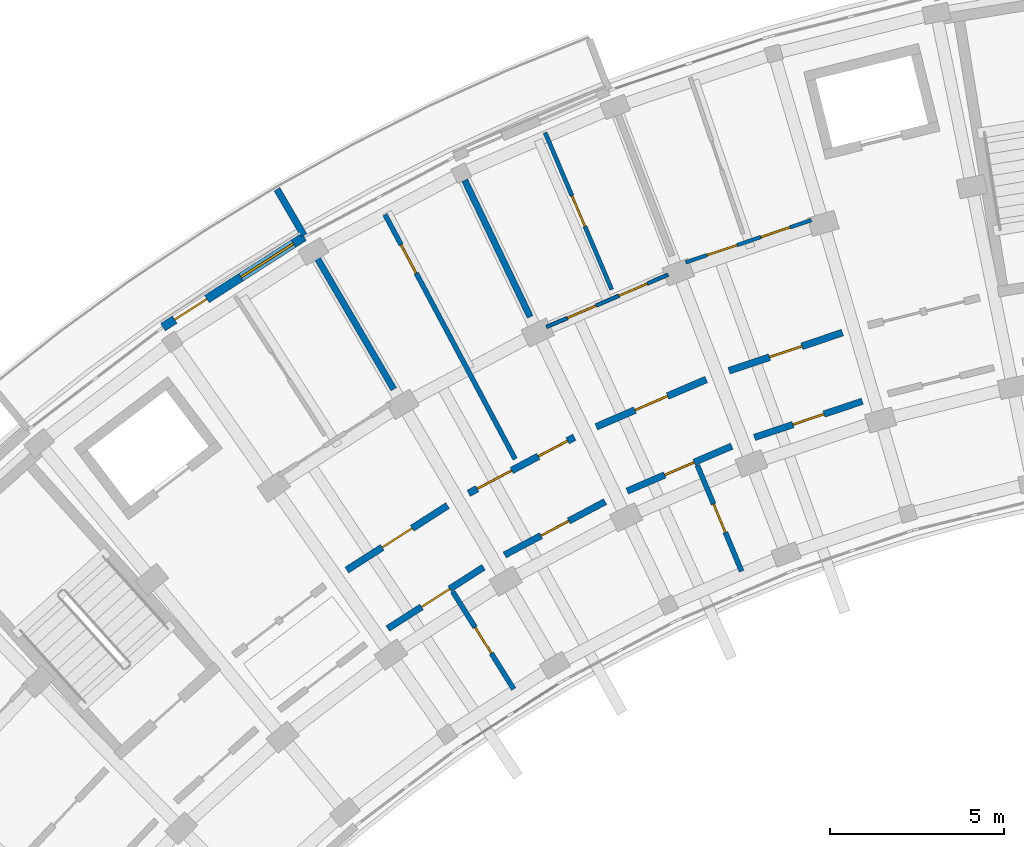
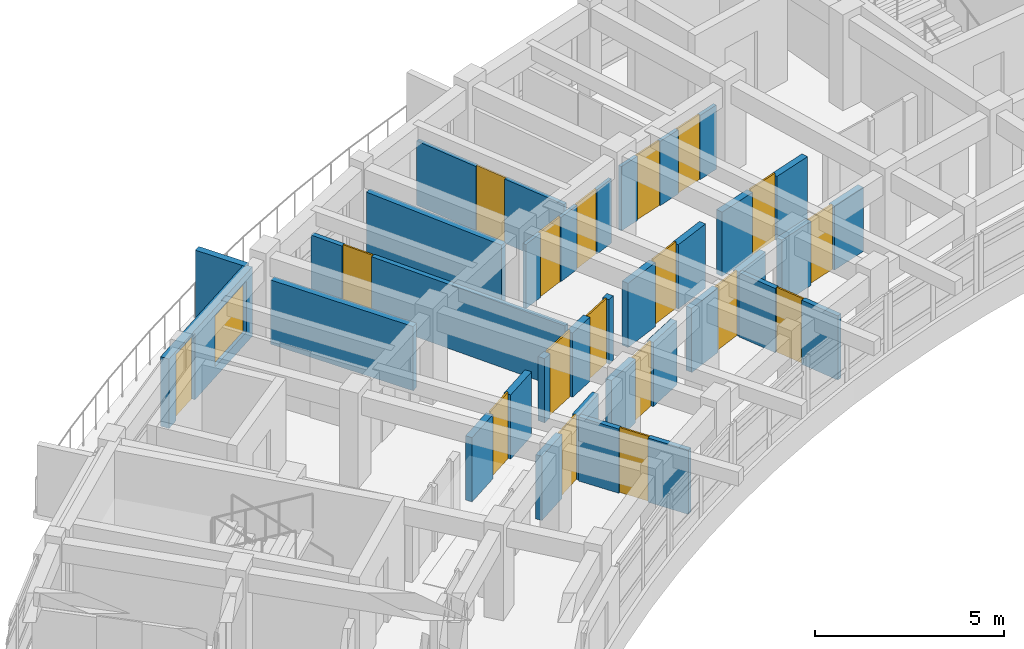
# One storey, part 29 of 55: 18 doors, 18 walls, 1 window, 19 openings.
"""IFC4 building model written with IfcOpenShell, lengths in metres."""

from ifc_helpers import new_model, si_unit, direction, frame, frame_2d, origin, place, context, subcontext, project, spatial, rectangle, extrude, material, layer, layer_set, type_object, element, fill, save


model = new_model("IFC4")

# Units and contexts
model_context = context("Model", 3, precision=1e-05, world=origin(), true_north=direction((0.0, 1.0)))
body_context = subcontext(model_context, "Body", "Model", "MODEL_VIEW")
ifc_project = project(units=[si_unit("LENGTHUNIT", "METRE"), si_unit("AREAUNIT", "SQUARE_METRE"), si_unit("VOLUMEUNIT", "CUBIC_METRE"), si_unit("PLANEANGLEUNIT", "RADIAN"), si_unit("MASSUNIT", "GRAM", prefix="KILO")], contexts=[model_context])

# Site, building, storey
site_placement = place(None, origin())
site = spatial("IfcSite", under=ifc_project, at=site_placement, CompositionType="ELEMENT")
building_placement = place(site_placement, origin())
building = spatial("IfcBuilding", under=site, at=building_placement, Name="Zimvara Arc Housing Community", CompositionType="ELEMENT")
storey_placement = place(building_placement, frame((0.0, 0.0, 14.300048828125)))
storey = spatial("IfcBuildingStorey", under=building, at=storey_placement, Name="L04", CompositionType="ELEMENT", Elevation=14.300048828125)

# Wall
ifc_material_1 = material(Name="Board-Marked Fair-Faced Concrete C35/45", Category="concrete")
ifc_layer_1 = layer(ifc_material_1, 0.195068359375)
ifc_layer_set_1 = layer_set([ifc_layer_1], Name="Board-Marked Fair-Faced Concrete C35/45")
wall_type_1 = type_object("IfcWallType", Name="EWL-PARA-195", PredefinedType="PARAPET", material=ifc_layer_set_1)
wall_1_placement = place(storey_placement, frame((15.038818359375, 95.8134765625, 0.0), z_axis=(0.0, 0.0, 1.0), x_axis=(-0.504228145431, 0.863570481985, 0.0)))
element("IfcWall", 1, at=wall_1_placement, inside=storey, type_object=wall_type_1, Name="finwall:blkA:L04:out:b4", PredefinedType="PARAPET", context=body_context, shape_type="SweptSolid", body=[
    extrude(rectangle(XDim=1.530029296875, YDim=0.195068359375, at=frame_2d((0.76513671875, 0.0))), origin(), (0.0, 0.0, 1.0), 2.25),
])

# Wall, openings, door, window
ifc_material_2 = material(Name="Board-Marked Fair-Faced Concrete C35/45", Category="concrete")
ifc_layer_2 = layer(ifc_material_2, 0.251953125)
ifc_layer_set_2 = layer_set([ifc_layer_2], Name="Board-Marked Fair-Faced Concrete C35/45")
wall_type_2 = type_object("IfcWallType", Name="EWL-VAR-18", PredefinedType="SOLIDWALL", material=ifc_layer_set_2)
wall_2_placement = place(storey_placement, frame((10.991943359375, 93.17578125, 0.0), z_axis=(0.0, 0.0, 1.0), x_axis=(0.84226218024, 0.539068103061, 0.0)))
wall_2 = element("IfcWall", 2, at=wall_2_placement, inside=storey, type_object=wall_type_2, Name="ewall:blkA:L04:out:b3", PredefinedType="SOLIDWALL", context=body_context, shape_type="SweptSolid", body=[
    extrude(rectangle(XDim=4.808837890625, YDim=0.251953125, at=frame_2d((2.404296875, 0.0))), origin(), (0.0, 0.0, 1.0), 2.25),
])
opening_1_placement = place(wall_2_placement, frame((0.39990234375, 0.0, 0.0)))
opening_1 = element("IfcOpeningElement", 3, at=opening_1_placement, cuts=wall_2, Name="Opening ED06", PredefinedType="OPENING", context=body_context, shape_type="SweptSolid", body=[
    extrude(rectangle(XDim=1.10009765625, YDim=2.14990234375, at=frame_2d((0.550048828125, 1.074951171875))), frame((0.0, 0.135986328125, 0.0), z_axis=(0.0, -1.0, 0.0), x_axis=(1.0, 0.0, 0.0)), (0.0, 0.0, 1.0), 0.27197265625),
])
opening_2_placement = place(wall_2_placement, frame((2.658935546875, 0.0, 0.35009765625)))
opening_2 = element("IfcOpeningElement", 4, at=opening_2_placement, cuts=wall_2, Name="Opening W08", PredefinedType="OPENING", context=body_context, shape_type="SweptSolid", body=[
    extrude(rectangle(XDim=1.800048828125, YDim=1.64990234375, at=frame_2d((0.89990234375, 0.824951171875))), frame((0.0, 0.135986328125, 0.0), z_axis=(0.0, -1.0, 0.0), x_axis=(1.0, 0.0, 0.0)), (0.0, 0.0, 1.0), 0.27197265625),
])
ifc_material_3 = material(Name="Anodised Aluminium AW-6063", Category="aluminium")
door_type_1 = type_object("IfcDoorType", Name="EDR-TERR-1100x2150", OperationType="NOTDEFINED", PredefinedType="DOOR", material=ifc_material_3)
door_1_placement = place(opening_1_placement, origin())
door_1 = element("IfcDoor", 5, at=door_1_placement, inside=storey, type_object=door_type_1, Name="edoor:blkA:L04:bal_out:b3", OperationType="SINGLE_SWING_LEFT", OverallHeight=2.14990234375, OverallWidth=1.10009765625, PredefinedType="DOOR", context=body_context, shape_type="SweptSolid", body=[
    extrude(rectangle(XDim=1.10009765625, YDim=2.14990234375, at=frame_2d((0.550048828125, 1.074951171875))), frame((0.0, 0.02490234375, 0.0), z_axis=(0.0, -1.0, 0.0), x_axis=(1.0, 0.0, 0.0)), (0.0, 0.0, 1.0), 0.050048828125),
])
fill(opening_1, door_1)
ifc_material_4 = material(Name="Solar Control Low-E Double Glazing", Category="glass")
window_type = type_object("IfcWindowType", Name="WIN-RES-1800x1650", PartitioningType="TRIPLE_PANEL_VERTICAL", PredefinedType="WINDOW", material=ifc_material_4)
window_placement = place(opening_2_placement, origin())
window = element("IfcWindow", 6, at=window_placement, inside=storey, type_object=window_type, Name="win:blkA:L04:out:b3:balw", OverallHeight=1.64990234375, OverallWidth=1.800048828125, PartitioningType="TRIPLE_PANEL_VERTICAL", PredefinedType="WINDOW", context=body_context, shape_type="SweptSolid", body=[
    extrude(rectangle(XDim=1.800048828125, YDim=1.64990234375, at=frame_2d((0.89990234375, 0.824951171875))), frame((0.0, 0.030029296875, 0.0), z_axis=(0.0, -1.0, 0.0), x_axis=(1.0, 0.0, 0.0)), (0.0, 0.0, 1.0), 0.06005859375),
])
fill(opening_2, window)

# Wall, opening, door
ifc_material_5 = material(Name="Concrete C35/45", Category="concrete")
ifc_layer_3 = layer(ifc_material_5, 0.18994140625)
ifc_layer_set_3 = layer_set([ifc_layer_3], Name="Concrete C35/45")
wall_type_3 = type_object("IfcWallType", Name="IWL-CORR-190", PredefinedType="SOLIDWALL", material=ifc_layer_set_3)
wall_3_placement = place(storey_placement, frame((17.44677734375, 84.518798828125, 0.0), z_axis=(0.0, 0.0, 1.0), x_axis=(0.842225276846, 0.539125758095, 0.0)))
wall_3 = element("IfcWall", 7, at=wall_3_placement, inside=storey, type_object=wall_type_3, Name="iwall:blkA:L04:corr_in:b3", PredefinedType="SOLIDWALL", context=body_context, shape_type="SweptSolid", body=[
    extrude(rectangle(XDim=3.2685546875, YDim=0.18994140625, at=frame_2d((1.63427734375, 0.0))), origin(), (0.0, 0.0, 1.0), 2.079833984375),
])
opening_3_placement = place(wall_3_placement, frame((1.154296875, 0.0, 0.0)))
opening_3 = element("IfcOpeningElement", 8, at=opening_3_placement, cuts=wall_3, Name="Opening D04", PredefinedType="OPENING", context=body_context, shape_type="SweptSolid", body=[
    extrude(rectangle(XDim=0.9599609375, YDim=2.10009765625, at=frame_2d((0.47998046875, 1.050048828125))), frame((0.0, 0.10498046875, 0.0), z_axis=(0.0, -1.0, 0.0), x_axis=(1.0, 0.0, 0.0)), (0.0, 0.0, 1.0), 0.2099609375),
])
ifc_material_6 = material(Name="Mozambican Hardwood", Category="wood")
door_type_2 = type_object("IfcDoorType", Name="IDR-RM-0960x2100", OperationType="NOTDEFINED", PredefinedType="DOOR", material=ifc_material_6)
door_2_placement = place(opening_3_placement, origin())
door_2 = element("IfcDoor", 9, at=door_2_placement, inside=storey, type_object=door_type_2, Name="idoor:blkA:L04:in_rm:b3", OperationType="SINGLE_SWING_RIGHT", OverallHeight=2.10009765625, OverallWidth=0.9599609375, PredefinedType="DOOR", context=body_context, shape_type="SweptSolid", body=[
    extrude(rectangle(XDim=0.9599609375, YDim=2.10009765625, at=frame_2d((0.47998046875, 1.050048828125))), frame((0.0, 0.02490234375, 0.0), z_axis=(0.0, -1.0, 0.0), x_axis=(1.0, 0.0, 0.0)), (0.0, 0.0, 1.0), 0.050048828125),
])
fill(opening_3, door_2)

wall_4_placement = place(storey_placement, frame((20.8037109375, 86.633544921875, 0.0), z_axis=(0.0, 0.0, 1.0), x_axis=(0.883444301944, 0.468536194293, 0.0)))
wall_4 = element("IfcWall", 10, at=wall_4_placement, inside=storey, type_object=wall_type_3, Name="iwall:blkA:L04:corr_in:b4", PredefinedType="SOLIDWALL", context=body_context, shape_type="SweptSolid", body=[
    extrude(rectangle(XDim=3.268798828125, YDim=0.18994140625, at=frame_2d((1.63427734375, 0.0))), origin(), (0.0, 0.0, 1.0), 2.079833984375),
])
opening_4_placement = place(wall_4_placement, frame((1.184326171875, 0.0, 0.0)))
opening_4 = element("IfcOpeningElement", 11, at=opening_4_placement, cuts=wall_4, Name="Opening D01", PredefinedType="OPENING", context=body_context, shape_type="SweptSolid", body=[
    extrude(rectangle(XDim=0.89990234375, YDim=2.10009765625, at=frame_2d((0.449951171875, 1.050048828125))), frame((0.0, 0.10498046875, 0.0), z_axis=(0.0, -1.0, 0.0), x_axis=(1.0, 0.0, 0.0)), (0.0, 0.0, 1.0), 0.2099609375),
])
ifc_material_7 = material(Name="Mozambican Hardwood", Category="wood")
door_type_3 = type_object("IfcDoorType", Name="IDR-RM-0900x2100", OperationType="NOTDEFINED", PredefinedType="DOOR", material=ifc_material_7)
door_3_placement = place(opening_4_placement, origin())
door_3 = element("IfcDoor", 12, at=door_3_placement, inside=storey, type_object=door_type_3, Name="idoor:blkA:L04:in_rm:b4", OperationType="SINGLE_SWING_LEFT", OverallHeight=2.10009765625, OverallWidth=0.89990234375, PredefinedType="DOOR", context=body_context, shape_type="SweptSolid", body=[
    extrude(rectangle(XDim=0.89990234375, YDim=2.10009765625, at=frame_2d((0.449951171875, 1.050048828125))), frame((0.0, 0.02490234375, 0.0), z_axis=(0.0, -1.0, 0.0), x_axis=(1.0, 0.0, 0.0)), (0.0, 0.0, 1.0), 0.050048828125),
])
fill(opening_4, door_3)

wall_5_placement = place(storey_placement, frame((24.322265625, 88.46728515625, 0.0), z_axis=(0.0, 0.0, 1.0), x_axis=(0.918723391052, 0.394901672235, 0.0)))
wall_5 = element("IfcWall", 13, at=wall_5_placement, inside=storey, type_object=wall_type_3, Name="iwall:blkA:L04:corr_in:b5", PredefinedType="SOLIDWALL", context=body_context, shape_type="SweptSolid", body=[
    extrude(rectangle(XDim=3.2685546875, YDim=0.18994140625, at=frame_2d((1.63427734375, 0.0))), origin(), (0.0, 0.0, 1.0), 2.079833984375),
])
opening_5_placement = place(wall_5_placement, frame((1.17431640625, 0.0, 0.0)))
opening_5 = element("IfcOpeningElement", 14, at=opening_5_placement, cuts=wall_5, Name="Opening D02", PredefinedType="OPENING", context=body_context, shape_type="SweptSolid", body=[
    extrude(rectangle(XDim=0.919921875, YDim=2.10009765625, at=frame_2d((0.4599609375, 1.050048828125))), frame((0.0, 0.10498046875, 0.0), z_axis=(0.0, -1.0, 0.0), x_axis=(1.0, 0.0, 0.0)), (0.0, 0.0, 1.0), 0.2099609375),
])
ifc_material_8 = material(Name="Mozambican Hardwood", Category="wood")
door_type_4 = type_object("IfcDoorType", Name="IDR-RM-0920x2100", OperationType="NOTDEFINED", PredefinedType="DOOR", material=ifc_material_8)
door_4_placement = place(opening_5_placement, origin())
door_4 = element("IfcDoor", 15, at=door_4_placement, inside=storey, type_object=door_type_4, Name="idoor:blkA:L04:in_rm:b5", OperationType="SINGLE_SWING_RIGHT", OverallHeight=2.10009765625, OverallWidth=0.919921875, PredefinedType="DOOR", context=body_context, shape_type="SweptSolid", body=[
    extrude(rectangle(XDim=0.919921875, YDim=2.10009765625, at=frame_2d((0.4599609375, 1.050048828125))), frame((0.0, 0.02490234375, 0.0), z_axis=(0.0, -1.0, 0.0), x_axis=(1.0, 0.0, 0.0)), (0.0, 0.0, 1.0), 0.050048828125),
])
fill(opening_5, door_4)

wall_6_placement = place(storey_placement, frame((27.978515625, 90.0078125, 0.0), z_axis=(0.0, 0.0, 1.0), x_axis=(0.94787351033, 0.318646839643, 0.0)))
wall_6 = element("IfcWall", 16, at=wall_6_placement, inside=storey, type_object=wall_type_3, Name="iwall:blkA:L04:corr_in:b6", PredefinedType="SOLIDWALL", context=body_context, shape_type="SweptSolid", body=[
    extrude(rectangle(XDim=3.2685546875, YDim=0.18994140625, at=frame_2d((1.63427734375, 0.0))), origin(), (0.0, 0.0, 1.0), 2.079833984375),
])
opening_6_placement = place(wall_6_placement, frame((1.164306640625, 0.0, 0.0)))
opening_6 = element("IfcOpeningElement", 17, at=opening_6_placement, cuts=wall_6, Name="Opening D03", PredefinedType="OPENING", context=body_context, shape_type="SweptSolid", body=[
    extrude(rectangle(XDim=0.93994140625, YDim=2.10009765625, at=frame_2d((0.469970703125, 1.050048828125))), frame((0.0, 0.10498046875, 0.0), z_axis=(0.0, -1.0, 0.0), x_axis=(1.0, 0.0, 0.0)), (0.0, 0.0, 1.0), 0.2099609375),
])
ifc_material_9 = material(Name="Mozambican Hardwood", Category="wood")
door_type_5 = type_object("IfcDoorType", Name="IDR-RM-0940x2100", OperationType="NOTDEFINED", PredefinedType="DOOR", material=ifc_material_9)
door_5_placement = place(opening_6_placement, origin())
door_5 = element("IfcDoor", 18, at=door_5_placement, inside=storey, type_object=door_type_5, Name="idoor:blkA:L04:in_rm:b6", OperationType="SINGLE_SWING_RIGHT", OverallHeight=2.10009765625, OverallWidth=0.93994140625, PredefinedType="DOOR", context=body_context, shape_type="SweptSolid", body=[
    extrude(rectangle(XDim=0.93994140625, YDim=2.10009765625, at=frame_2d((0.469970703125, 1.050048828125))), frame((0.0, 0.02490234375, 0.0), z_axis=(0.0, -1.0, 0.0), x_axis=(1.0, 0.0, 0.0)), (0.0, 0.0, 1.0), 0.050048828125),
])
fill(opening_6, door_5)

ifc_material_10 = material(Name="Concrete C35/45", Category="concrete")
ifc_layer_4 = layer(ifc_material_10, 0.199951171875)
ifc_layer_set_4 = layer_set([ifc_layer_4], Name="Concrete C35/45")
wall_type_4 = type_object("IfcWallType", Name="IWL-CORR-200", PredefinedType="SOLIDWALL", material=ifc_layer_set_4)
wall_7_placement = place(storey_placement, frame((16.272216796875, 86.198974609375, 0.0), z_axis=(0.0, 0.0, 1.0), x_axis=(0.842257205985, 0.539075874963, 0.0)))
wall_7 = element("IfcWall", 19, at=wall_7_placement, inside=storey, type_object=wall_type_4, Name="iwall:blkA:L04:corr_out:b3", PredefinedType="SOLIDWALL", context=body_context, shape_type="SweptSolid", body=[
    extrude(rectangle(XDim=3.43603515625, YDim=0.199951171875, at=frame_2d((1.718017578125, 0.0))), origin(), (0.0, 0.0, 1.0), 2.079833984375),
])
opening_7_placement = place(wall_7_placement, frame((1.2080078125, 0.0, 0.0)))
opening_7 = element("IfcOpeningElement", 20, at=opening_7_placement, cuts=wall_7, Name="Opening FD-FL2", PredefinedType="OPENING", context=body_context, shape_type="SweptSolid", body=[
    extrude(rectangle(XDim=1.02001953125, YDim=2.14990234375, at=frame_2d((0.510009765625, 1.074951171875))), frame((0.0, 0.10986328125, 0.0), z_axis=(0.0, -1.0, 0.0), x_axis=(1.0, 0.0, 0.0)), (0.0, 0.0, 1.0), 0.219970703125),
])
ifc_material_11 = material(Name="Mozambican Hardwood", Category="wood")
door_type_6 = type_object("IfcDoorType", Name="IDR-FLAT-1020x2150", OperationType="NOTDEFINED", PredefinedType="DOOR", material=ifc_material_11)
door_6_placement = place(opening_7_placement, origin())
door_6 = element("IfcDoor", 21, at=door_6_placement, inside=storey, type_object=door_type_6, Name="idoor:blkA:L04:flat:b3", OperationType="SINGLE_SWING_LEFT", OverallHeight=2.14990234375, OverallWidth=1.02001953125, PredefinedType="DOOR", context=body_context, shape_type="SweptSolid", body=[
    extrude(rectangle(XDim=1.02001953125, YDim=2.14990234375, at=frame_2d((0.510009765625, 1.074951171875))), frame((0.0, 0.02490234375, 0.0), z_axis=(0.0, -1.0, 0.0), x_axis=(1.0, 0.0, 0.0)), (0.0, 0.0, 1.0), 0.050048828125),
])
fill(opening_7, door_6)

# Wall, openings, doors
wall_8_placement = place(storey_placement, frame((19.770263671875, 88.40380859375, 0.0), z_axis=(0.0, 0.0, 1.0), x_axis=(0.883410853063, 0.468599258099, 0.0)))
wall_8 = element("IfcWall", 22, at=wall_8_placement, inside=storey, type_object=wall_type_4, Name="iwall:blkA:L04:corr_out:b4", PredefinedType="SOLIDWALL", context=body_context, shape_type="SweptSolid", body=[
    extrude(rectangle(XDim=3.43603515625, YDim=0.199951171875, at=frame_2d((1.718017578125, 0.0))), origin(), (0.0, 0.0, 1.0), 2.079833984375),
])
opening_8_placement = place(wall_8_placement, frame((0.280029296875, 0.0, 0.0)))
opening_8 = element("IfcOpeningElement", 23, at=opening_8_placement, cuts=wall_8, Name="Opening D07", PredefinedType="OPENING", context=body_context, shape_type="SweptSolid", body=[
    extrude(rectangle(XDim=1.1201171875, YDim=2.14990234375, at=frame_2d((0.56005859375, 1.074951171875))), frame((0.0, 0.10986328125, 0.0), z_axis=(0.0, -1.0, 0.0), x_axis=(1.0, 0.0, 0.0)), (0.0, 0.0, 1.0), 0.219970703125),
])
opening_9_placement = place(wall_8_placement, frame((2.26611328125, 0.0, 0.0)))
opening_9 = element("IfcOpeningElement", 24, at=opening_9_placement, cuts=wall_8, Name="Opening D06", PredefinedType="OPENING", context=body_context, shape_type="SweptSolid", body=[
    extrude(rectangle(XDim=0.949951171875, YDim=2.10009765625, at=frame_2d((0.47509765625, 1.050048828125))), frame((0.0, 0.10986328125, 0.0), z_axis=(0.0, -1.0, 0.0), x_axis=(1.0, 0.0, 0.0)), (0.0, 0.0, 1.0), 0.219970703125),
])
ifc_material_12 = material(Name="Mozambican Hardwood", Category="wood")
door_type_7 = type_object("IfcDoorType", Name="IDR-AMN-1120x2150", OperationType="NOTDEFINED", PredefinedType="DOOR", material=ifc_material_12)
door_7_placement = place(opening_8_placement, origin())
door_7 = element("IfcDoor", 25, at=door_7_placement, inside=storey, type_object=door_type_7, Name="idoor:blkA:L04:amen:b4", OperationType="SINGLE_SWING_LEFT", OverallHeight=2.14990234375, OverallWidth=1.1201171875, PredefinedType="DOOR", context=body_context, shape_type="SweptSolid", body=[
    extrude(rectangle(XDim=1.1201171875, YDim=2.14990234375, at=frame_2d((0.56005859375, 1.074951171875))), frame((0.0, 0.02490234375, 0.0), z_axis=(0.0, -1.0, 0.0), x_axis=(1.0, 0.0, 0.0)), (0.0, 0.0, 1.0), 0.050048828125),
])
fill(opening_8, door_7)
ifc_material_13 = material(Name="Mozambican Hardwood", Category="wood")
door_type_8 = type_object("IfcDoorType", Name="IDR-AWC-0950x2100", OperationType="NOTDEFINED", PredefinedType="DOOR", material=ifc_material_13)
door_8_placement = place(opening_9_placement, origin())
door_8 = element("IfcDoor", 26, at=door_8_placement, inside=storey, type_object=door_type_8, Name="idoor:blkA:L04:cawc:b4", OperationType="SINGLE_SWING_RIGHT", OverallHeight=2.10009765625, OverallWidth=0.949951171875, PredefinedType="DOOR", context=body_context, shape_type="SweptSolid", body=[
    extrude(rectangle(XDim=0.949951171875, YDim=2.10009765625, at=frame_2d((0.47509765625, 1.050048828125))), frame((0.0, 0.02490234375, 0.0), z_axis=(0.0, -1.0, 0.0), x_axis=(1.0, 0.0, 0.0)), (0.0, 0.0, 1.0), 0.050048828125),
])
fill(opening_9, door_8)

# Wall, opening, door
wall_9_placement = place(storey_placement, frame((23.4365234375, 90.31591796875, 0.0), z_axis=(0.0, 0.0, 1.0), x_axis=(0.918718172399, 0.394913813008, 0.0)))
wall_9 = element("IfcWall", 27, at=wall_9_placement, inside=storey, type_object=wall_type_4, Name="iwall:blkA:L04:corr_out:b5", PredefinedType="SOLIDWALL", context=body_context, shape_type="SweptSolid", body=[
    extrude(rectangle(XDim=3.43603515625, YDim=0.199951171875, at=frame_2d((1.718017578125, 0.0))), origin(), (0.0, 0.0, 1.0), 2.079833984375),
])
opening_10_placement = place(wall_9_placement, frame((1.2080078125, 0.0, 0.0)))
opening_10 = element("IfcOpeningElement", 28, at=opening_10_placement, cuts=wall_9, Name="Opening FD-FL2", PredefinedType="OPENING", context=body_context, shape_type="SweptSolid", body=[
    extrude(rectangle(XDim=1.02001953125, YDim=2.14990234375, at=frame_2d((0.510009765625, 1.074951171875))), frame((0.0, 0.10986328125, 0.0), z_axis=(0.0, -1.0, 0.0), x_axis=(1.0, 0.0, 0.0)), (0.0, 0.0, 1.0), 0.219970703125),
])
door_9_placement = place(opening_10_placement, origin())
door_9 = element("IfcDoor", 29, at=door_9_placement, inside=storey, type_object=door_type_6, Name="idoor:blkA:L04:flat:b5", OperationType="SINGLE_SWING_LEFT", OverallHeight=2.14990234375, OverallWidth=1.02001953125, PredefinedType="DOOR", context=body_context, shape_type="SweptSolid", body=[
    extrude(rectangle(XDim=1.02001953125, YDim=2.14990234375, at=frame_2d((0.510009765625, 1.074951171875))), frame((0.0, 0.02490234375, 0.0), z_axis=(0.0, -1.0, 0.0), x_axis=(1.0, 0.0, 0.0)), (0.0, 0.0, 1.0), 0.050048828125),
])
fill(opening_10, door_9)

wall_10_placement = place(storey_placement, frame((27.24658203125, 91.922607421875, 0.0), z_axis=(0.0, 0.0, 1.0), x_axis=(0.947863007629, 0.318678080151, 0.0)))
wall_10 = element("IfcWall", 30, at=wall_10_placement, inside=storey, type_object=wall_type_4, Name="iwall:blkA:L04:corr_out:b6", PredefinedType="SOLIDWALL", context=body_context, shape_type="SweptSolid", body=[
    extrude(rectangle(XDim=3.43603515625, YDim=0.199951171875, at=frame_2d((1.718017578125, 0.0))), origin(), (0.0, 0.0, 1.0), 2.079833984375),
])
opening_11_placement = place(wall_10_placement, frame((1.22802734375, 0.0, 0.0)))
opening_11 = element("IfcOpeningElement", 31, at=opening_11_placement, cuts=wall_10, Name="Opening FD-FL1", PredefinedType="OPENING", context=body_context, shape_type="SweptSolid", body=[
    extrude(rectangle(XDim=0.97998046875, YDim=2.14990234375, at=frame_2d((0.489990234375, 1.074951171875))), frame((0.0, 0.10986328125, 0.0), z_axis=(0.0, -1.0, 0.0), x_axis=(1.0, 0.0, 0.0)), (0.0, 0.0, 1.0), 0.219970703125),
])
ifc_material_14 = material(Name="Mozambican Hardwood", Category="wood")
door_type_9 = type_object("IfcDoorType", Name="IDR-FLAT-0980x2150", OperationType="NOTDEFINED", PredefinedType="DOOR", material=ifc_material_14)
door_10_placement = place(opening_11_placement, origin())
door_10 = element("IfcDoor", 32, at=door_10_placement, inside=storey, type_object=door_type_9, Name="idoor:blkA:L04:flat:b6", OperationType="SINGLE_SWING_LEFT", OverallHeight=2.14990234375, OverallWidth=0.97998046875, PredefinedType="DOOR", context=body_context, shape_type="SweptSolid", body=[
    extrude(rectangle(XDim=0.97998046875, YDim=2.14990234375, at=frame_2d((0.489990234375, 1.074951171875))), frame((0.0, 0.02490234375, 0.0), z_axis=(0.0, -1.0, 0.0), x_axis=(1.0, 0.0, 0.0)), (0.0, 0.0, 1.0), 0.050048828125),
])
fill(opening_11, door_10)

# Walls
ifc_material_15 = material(Name="Concrete C35/45", Category="concrete")
ifc_layer_5 = layer(ifc_material_15, 0.18505859375)
ifc_layer_set_5 = layer_set([ifc_layer_5], Name="Concrete C35/45")
wall_type_5 = type_object("IfcWallType", Name="IWL-FLAT-185", PredefinedType="SOLIDWALL", material=ifc_layer_set_5)
for number, where, z_axis, x_axis, name in (
    (33, (17.62060546875, 91.391845703125, 0.0), (0.0, 0.0, 1.0), (-0.504216452091, 0.863577309475, 0.0), "iwall:blkA:L04:party:b4"),
    (34, (21.537841796875, 93.469482421875, 0.0), (0.0, 0.0, 1.0), (-0.432086898897, 0.901831975371, 0.0), "iwall:blkA:L04:party:b5"),
):
    element("IfcWall", number, at=place(storey_placement, frame(where, z_axis=z_axis, x_axis=x_axis)), inside=storey, type_object=wall_type_5, Name=name, PredefinedType="SOLIDWALL", context=body_context, shape_type="SweptSolid", body=[
        extrude(rectangle(XDim=4.35009765625, YDim=0.18505859375, at=frame_2d((2.175048828125, 0.0))), origin(), (0.0, 0.0, 1.0), 2.079833984375),
    ])

# Wall, openings, doors
ifc_material_16 = material(Name="Painted Acoustic Plasterboard")
ifc_layer_6 = layer(ifc_material_16, 0.10009765625)
ifc_layer_set_6 = layer_set([ifc_layer_6], Name="Painted Acoustic Plasterboard")
wall_type_6 = type_object("IfcWallType", Name="IWL-PART-100", PredefinedType="PARTITIONING", material=ifc_layer_set_6)
wall_11_placement = place(storey_placement, frame((22.0078125, 93.18212890625, 0.0), z_axis=(0.0, 0.0, 1.0), x_axis=(0.918732171064, 0.394881245253, 0.0)))
wall_11 = element("IfcWall", 35, at=wall_11_placement, inside=storey, type_object=wall_type_6, Name="iwall:blkA:L04:srv:b5", PredefinedType="PARTITIONING", context=body_context, shape_type="SweptSolid", body=[
    extrude(rectangle(XDim=3.79736328125, YDim=0.10009765625, at=frame_2d((1.898681640625, 0.0))), origin(), (0.0, 0.0, 1.0), 2.079833984375),
])
opening_12_placement = place(wall_11_placement, frame((0.64990234375, 0.0, 0.0)))
opening_12 = element("IfcOpeningElement", 36, at=opening_12_placement, cuts=wall_11, Name="Opening D01", PredefinedType="OPENING", context=body_context, shape_type="SweptSolid", body=[
    extrude(rectangle(XDim=0.89990234375, YDim=2.10009765625, at=frame_2d((0.449951171875, 1.050048828125))), frame((0.0, 0.06005859375, 0.0), z_axis=(0.0, -1.0, 0.0), x_axis=(1.0, 0.0, 0.0)), (0.0, 0.0, 1.0), 0.1201171875),
])
opening_13_placement = place(wall_11_placement, frame((2.267333984375, 0.0, 0.0)))
opening_13 = element("IfcOpeningElement", 37, at=opening_13_placement, cuts=wall_11, Name="Opening D05", PredefinedType="OPENING", context=body_context, shape_type="SweptSolid", body=[
    extrude(rectangle(XDim=0.8798828125, YDim=2.10009765625, at=frame_2d((0.43994140625, 1.050048828125))), frame((0.0, 0.06005859375, 0.0), z_axis=(0.0, -1.0, 0.0), x_axis=(1.0, 0.0, 0.0)), (0.0, 0.0, 1.0), 0.1201171875),
])
door_11_placement = place(opening_12_placement, origin())
door_11 = element("IfcDoor", 38, at=door_11_placement, inside=storey, type_object=door_type_3, Name="idoor:blkA:L04:kit_liv:b5", OperationType="SINGLE_SWING_RIGHT", OverallHeight=2.10009765625, OverallWidth=0.89990234375, PredefinedType="DOOR", context=body_context, shape_type="SweptSolid", body=[
    extrude(rectangle(XDim=0.89990234375, YDim=2.10009765625, at=frame_2d((0.449951171875, 1.050048828125))), frame((0.0, 0.02490234375, 0.0), z_axis=(0.0, -1.0, 0.0), x_axis=(1.0, 0.0, 0.0)), (0.0, 0.0, 1.0), 0.050048828125),
])
fill(opening_12, door_11)
ifc_material_17 = material(Name="Mozambican Hardwood", Category="wood")
door_type_10 = type_object("IfcDoorType", Name="IDR-WC-0880x2100", OperationType="NOTDEFINED", PredefinedType="DOOR", material=ifc_material_17)
door_12_placement = place(opening_13_placement, origin())
door_12 = element("IfcDoor", 39, at=door_12_placement, inside=storey, type_object=door_type_10, Name="idoor:blkA:L04:bath_d:b5", OperationType="SINGLE_SWING_LEFT", OverallHeight=2.10009765625, OverallWidth=0.8798828125, PredefinedType="DOOR", context=body_context, shape_type="SweptSolid", body=[
    extrude(rectangle(XDim=0.8798828125, YDim=2.10009765625, at=frame_2d((0.43994140625, 1.050048828125))), frame((0.0, 0.02490234375, 0.0), z_axis=(0.0, -1.0, 0.0), x_axis=(1.0, 0.0, 0.0)), (0.0, 0.0, 1.0), 0.050048828125),
])
fill(opening_13, door_12)

ifc_material_18 = material(Name="Painted Acoustic Plasterboard")
ifc_layer_7 = layer(ifc_material_18, 0.10498046875)
ifc_layer_set_7 = layer_set([ifc_layer_7], Name="Painted Acoustic Plasterboard")
wall_type_7 = type_object("IfcWallType", Name="IWL-PART-105", PredefinedType="PARTITIONING", material=ifc_layer_set_7)
wall_12_placement = place(storey_placement, frame((26.0029296875, 95.035888671875, 0.0), z_axis=(0.0, 0.0, 1.0), x_axis=(0.947879193428, 0.318629933725, 0.0)))
wall_12 = element("IfcWall", 40, at=wall_12_placement, inside=storey, type_object=wall_type_7, Name="iwall:blkA:L04:srv:b6", PredefinedType="PARTITIONING", context=body_context, shape_type="SweptSolid", body=[
    extrude(rectangle(XDim=3.8095703125, YDim=0.10498046875, at=frame_2d((1.90478515625, 0.0))), origin(), (0.0, 0.0, 1.0), 2.079833984375),
])
opening_14_placement = place(wall_12_placement, frame((0.64990234375, 0.0, 0.0)))
opening_14 = element("IfcOpeningElement", 41, at=opening_14_placement, cuts=wall_12, Name="Opening D01", PredefinedType="OPENING", context=body_context, shape_type="SweptSolid", body=[
    extrude(rectangle(XDim=0.89990234375, YDim=2.10009765625, at=frame_2d((0.449951171875, 1.050048828125))), frame((0.0, 0.0625, 0.0), z_axis=(0.0, -1.0, 0.0), x_axis=(1.0, 0.0, 0.0)), (0.0, 0.0, 1.0), 0.125),
])
opening_15_placement = place(wall_12_placement, frame((2.279541015625, 0.0, 0.0)))
opening_15 = element("IfcOpeningElement", 42, at=opening_15_placement, cuts=wall_12, Name="Opening D05", PredefinedType="OPENING", context=body_context, shape_type="SweptSolid", body=[
    extrude(rectangle(XDim=0.8798828125, YDim=2.10009765625, at=frame_2d((0.43994140625, 1.050048828125))), frame((0.0, 0.0625, 0.0), z_axis=(0.0, -1.0, 0.0), x_axis=(1.0, 0.0, 0.0)), (0.0, 0.0, 1.0), 0.125),
])
door_13_placement = place(opening_14_placement, origin())
door_13 = element("IfcDoor", 43, at=door_13_placement, inside=storey, type_object=door_type_3, Name="idoor:blkA:L04:kit_liv:b6", OperationType="SINGLE_SWING_LEFT", OverallHeight=2.10009765625, OverallWidth=0.89990234375, PredefinedType="DOOR", context=body_context, shape_type="SweptSolid", body=[
    extrude(rectangle(XDim=0.89990234375, YDim=2.10009765625, at=frame_2d((0.449951171875, 1.050048828125))), frame((0.0, 0.02490234375, 0.0), z_axis=(0.0, -1.0, 0.0), x_axis=(1.0, 0.0, 0.0)), (0.0, 0.0, 1.0), 0.050048828125),
])
fill(opening_14, door_13)
door_14_placement = place(opening_15_placement, origin())
door_14 = element("IfcDoor", 44, at=door_14_placement, inside=storey, type_object=door_type_10, Name="idoor:blkA:L04:bath_d:b6", OperationType="SINGLE_SWING_RIGHT", OverallHeight=2.10009765625, OverallWidth=0.8798828125, PredefinedType="DOOR", context=body_context, shape_type="SweptSolid", body=[
    extrude(rectangle(XDim=0.8798828125, YDim=2.10009765625, at=frame_2d((0.43994140625, 1.050048828125))), frame((0.0, 0.02490234375, 0.0), z_axis=(0.0, -1.0, 0.0), x_axis=(1.0, 0.0, 0.0)), (0.0, 0.0, 1.0), 0.050048828125),
])
fill(opening_15, door_14)

# Wall, opening, door
ifc_material_19 = material(Name="Painted Acoustic Plasterboard")
ifc_layer_8 = layer(ifc_material_19, 0.1201171875)
ifc_layer_set_8 = layer_set([ifc_layer_8], Name="Painted Acoustic Plasterboard")
wall_type_8 = type_object("IfcWallType", Name="IWL-PART-120", PredefinedType="PARTITIONING", material=ifc_layer_set_8)
wall_13_placement = place(storey_placement, frame((23.88037109375, 94.2529296875, 0.0), z_axis=(0.0, 0.0, 1.0), x_axis=(-0.39076607415, 0.920490019116, 0.0)))
wall_13 = element("IfcWall", 45, at=wall_13_placement, inside=storey, type_object=wall_type_8, Name="iwall:blkA:L04:bed_div:b5", PredefinedType="PARTITIONING", context=body_context, shape_type="SweptSolid", body=[
    extrude(rectangle(XDim=4.900146484375, YDim=0.1201171875, at=frame_2d((2.4501953125, 0.0))), origin(), (0.0, 0.0, 1.0), 2.079833984375),
])
opening_16_placement = place(wall_13_placement, frame((1.969970703125, 0.0, 0.0)))
opening_16 = element("IfcOpeningElement", 46, at=opening_16_placement, cuts=wall_13, Name="Opening D04", PredefinedType="OPENING", context=body_context, shape_type="SweptSolid", body=[
    extrude(rectangle(XDim=0.9599609375, YDim=2.10009765625, at=frame_2d((0.47998046875, 1.050048828125))), frame((0.0, 0.070068359375, 0.0), z_axis=(0.0, -1.0, 0.0), x_axis=(1.0, 0.0, 0.0)), (0.0, 0.0, 1.0), 0.14013671875),
])
door_15_placement = place(opening_16_placement, origin())
door_15 = element("IfcDoor", 47, at=door_15_placement, inside=storey, type_object=door_type_2, Name="idoor:blkA:L04:bed_d:b5", OperationType="SINGLE_SWING_RIGHT", OverallHeight=2.10009765625, OverallWidth=0.9599609375, PredefinedType="DOOR", context=body_context, shape_type="SweptSolid", body=[
    extrude(rectangle(XDim=0.9599609375, YDim=2.10009765625, at=frame_2d((0.47998046875, 1.050048828125))), frame((0.0, 0.02490234375, 0.0), z_axis=(0.0, -1.0, 0.0), x_axis=(1.0, 0.0, 0.0)), (0.0, 0.0, 1.0), 0.050048828125),
])
fill(opening_16, door_15)

ifc_material_20 = material(Name="Painted Acoustic Plasterboard")
ifc_layer_9 = layer(ifc_material_20, 0.139892578125)
ifc_layer_set_9 = layer_set([ifc_layer_9], Name="Painted Acoustic Plasterboard")
wall_type_9 = type_object("IfcWallType", Name="IWL-PART-140", PredefinedType="PARTITIONING", material=ifc_layer_set_9)
wall_14_placement = place(storey_placement, frame((21.106689453125, 89.386962890625, 0.0), z_axis=(0.0, 0.0, 1.0), x_axis=(-0.469891538074, 0.882724159886, 0.0)))
wall_14 = element("IfcWall", 48, at=wall_14_placement, inside=storey, type_object=wall_type_9, Name="iwall:blkA:L04:amen_div:b4", PredefinedType="PARTITIONING", context=body_context, shape_type="SweptSolid", body=[
    extrude(rectangle(XDim=7.949951171875, YDim=0.139892578125, at=frame_2d((3.97509765625, 0.0))), origin(), (0.0, 0.0, 1.0), 2.079833984375),
])
opening_17_placement = place(wall_14_placement, frame((6.050048828125, 0.0, 0.0)))
opening_17 = element("IfcOpeningElement", 49, at=opening_17_placement, cuts=wall_14, Name="Opening D02", PredefinedType="OPENING", context=body_context, shape_type="SweptSolid", body=[
    extrude(rectangle(XDim=0.919921875, YDim=2.10009765625, at=frame_2d((0.4599609375, 1.050048828125))), frame((0.0, 0.079833984375, 0.0), z_axis=(0.0, -1.0, 0.0), x_axis=(1.0, 0.0, 0.0)), (0.0, 0.0, 1.0), 0.159912109375),
])
door_16_placement = place(opening_17_placement, origin())
door_16 = element("IfcDoor", 50, at=door_16_placement, inside=storey, type_object=door_type_4, Name="idoor:blkA:L04:laund_d:b4", OperationType="SINGLE_SWING_RIGHT", OverallHeight=2.10009765625, OverallWidth=0.919921875, PredefinedType="DOOR", context=body_context, shape_type="SweptSolid", body=[
    extrude(rectangle(XDim=0.919921875, YDim=2.10009765625, at=frame_2d((0.4599609375, 1.050048828125))), frame((0.0, 0.02490234375, 0.0), z_axis=(0.0, -1.0, 0.0), x_axis=(1.0, 0.0, 0.0)), (0.0, 0.0, 1.0), 0.050048828125),
])
fill(opening_17, door_16)

ifc_material_21 = material(Name="Painted Acoustic Plasterboard")
ifc_layer_10 = layer(ifc_material_21, 0.14501953125)
ifc_layer_set_10 = layer_set([ifc_layer_10], Name="Painted Acoustic Plasterboard")
wall_type_10 = type_object("IfcWallType", Name="IWL-WET-145", PredefinedType="PARTITIONING", material=ifc_layer_set_10)
wall_15_placement = place(storey_placement, frame((21.06396484375, 82.782958984375, 0.0), z_axis=(0.0, 0.0, 1.0), x_axis=(-0.53015188203, 0.847902696057, 0.0)))
wall_15 = element("IfcWall", 51, at=wall_15_placement, inside=storey, type_object=wall_type_10, Name="iwall:blkA:L04:ens:b3", PredefinedType="PARTITIONING", context=body_context, shape_type="SweptSolid", body=[
    extrude(rectangle(XDim=3.300048828125, YDim=0.14501953125, at=frame_2d((1.64990234375, 0.0))), origin(), (0.0, 0.0, 1.0), 2.079833984375),
])
opening_18_placement = place(wall_15_placement, frame((1.2099609375, 0.0, 0.0)))
opening_18 = element("IfcOpeningElement", 52, at=opening_18_placement, cuts=wall_15, Name="Opening D05", PredefinedType="OPENING", context=body_context, shape_type="SweptSolid", body=[
    extrude(rectangle(XDim=0.8798828125, YDim=2.10009765625, at=frame_2d((0.43994140625, 1.050048828125))), frame((0.0, 0.08251953125, 0.0), z_axis=(0.0, -1.0, 0.0), x_axis=(1.0, 0.0, 0.0)), (0.0, 0.0, 1.0), 0.1650390625),
])
door_17_placement = place(opening_18_placement, origin())
door_17 = element("IfcDoor", 53, at=door_17_placement, inside=storey, type_object=door_type_10, Name="idoor:blkA:L04:ens_d:b3", OperationType="SINGLE_SWING_LEFT", OverallHeight=2.10009765625, OverallWidth=0.8798828125, PredefinedType="DOOR", context=body_context, shape_type="SweptSolid", body=[
    extrude(rectangle(XDim=0.8798828125, YDim=2.10009765625, at=frame_2d((0.43994140625, 1.050048828125))), frame((0.0, 0.02490234375, 0.0), z_axis=(0.0, -1.0, 0.0), x_axis=(1.0, 0.0, 0.0)), (0.0, 0.0, 1.0), 0.050048828125),
])
fill(opening_18, door_17)

wall_16_placement = place(storey_placement, frame((27.60888671875, 86.166259765625, 0.0), z_axis=(0.0, 0.0, 1.0), x_axis=(-0.385151143297, 0.922853507777, 0.0)))
wall_16 = element("IfcWall", 54, at=wall_16_placement, inside=storey, type_object=wall_type_10, Name="iwall:blkA:L04:ens:b5", PredefinedType="PARTITIONING", context=body_context, shape_type="SweptSolid", body=[
    extrude(rectangle(XDim=3.300048828125, YDim=0.14501953125, at=frame_2d((1.64990234375, 0.0))), origin(), (0.0, 0.0, 1.0), 2.079833984375),
])
opening_19_placement = place(wall_16_placement, frame((1.2099609375, 0.0, 0.0)))
opening_19 = element("IfcOpeningElement", 55, at=opening_19_placement, cuts=wall_16, Name="Opening D05", PredefinedType="OPENING", context=body_context, shape_type="SweptSolid", body=[
    extrude(rectangle(XDim=0.8798828125, YDim=2.10009765625, at=frame_2d((0.43994140625, 1.050048828125))), frame((0.0, 0.08251953125, 0.0), z_axis=(0.0, -1.0, 0.0), x_axis=(1.0, 0.0, 0.0)), (0.0, 0.0, 1.0), 0.1650390625),
])
door_18_placement = place(opening_19_placement, origin())
door_18 = element("IfcDoor", 56, at=door_18_placement, inside=storey, type_object=door_type_10, Name="idoor:blkA:L04:ens_d:b5", OperationType="SINGLE_SWING_LEFT", OverallHeight=2.10009765625, OverallWidth=0.8798828125, PredefinedType="DOOR", context=body_context, shape_type="SweptSolid", body=[
    extrude(rectangle(XDim=0.8798828125, YDim=2.10009765625, at=frame_2d((0.43994140625, 1.050048828125))), frame((0.0, 0.02490234375, 0.0), z_axis=(0.0, -1.0, 0.0), x_axis=(1.0, 0.0, 0.0)), (0.0, 0.0, 1.0), 0.050048828125),
])
fill(opening_19, door_18)

save(model, "model.ifc")
